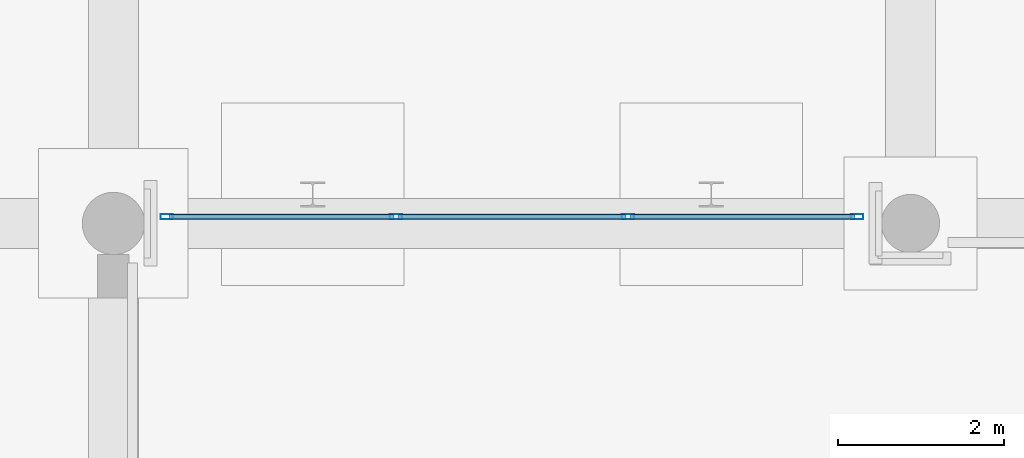
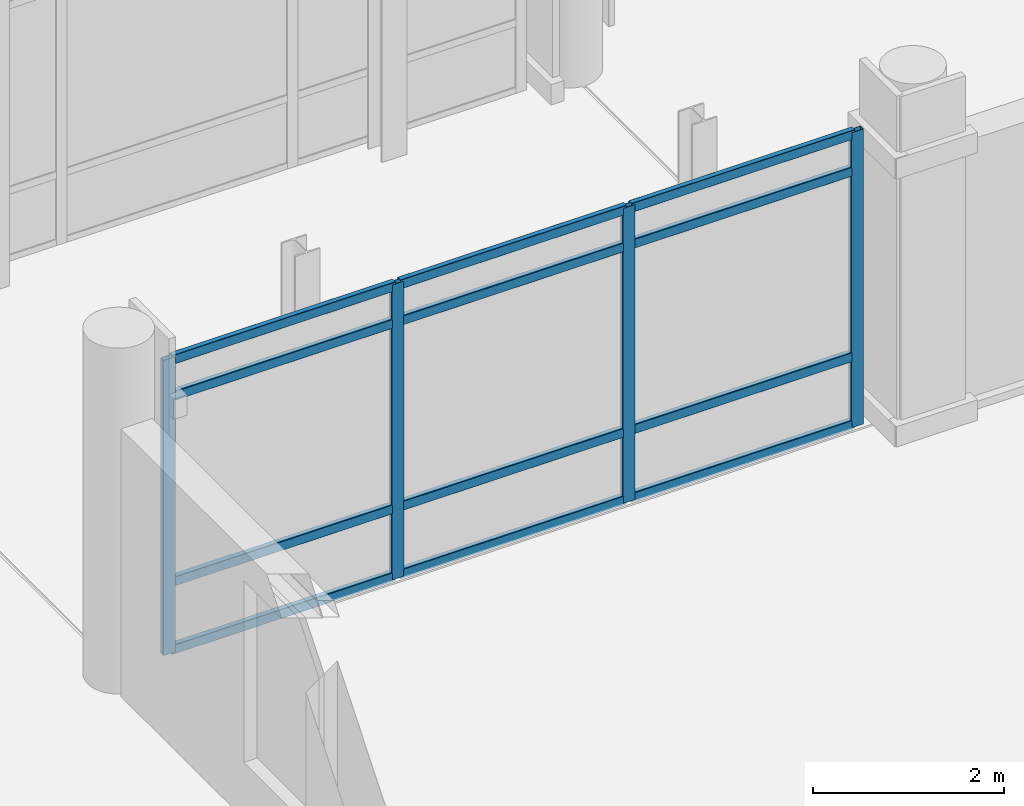
# One storey, part 106 of 196: 16 members, 1 element without a shape of its own.
"""IFC4 building model written with IfcOpenShell, lengths in metres."""

from ifc_helpers import new_model, si_unit, direction, frame, origin, origin_2d, place, context, subcontext, project, spatial, hollow_rectangle, extrude, material, layer, layer_set, material_profile, profile_set, type_object, element, aggregate, save


model = new_model("IFC4")

# Units and contexts
model_context = context("Model", 3, precision=1e-05, world=origin(), true_north=direction((0.0, 1.0)))
body_context = subcontext(model_context, "Body", "Model", "MODEL_VIEW")
ifc_project = project(units=[si_unit("LENGTHUNIT", "METRE"), si_unit("AREAUNIT", "SQUARE_METRE"), si_unit("VOLUMEUNIT", "CUBIC_METRE"), si_unit("PLANEANGLEUNIT", "RADIAN"), si_unit("MASSUNIT", "GRAM", prefix="KILO")], contexts=[model_context])

# Site, building, storey
site_placement = place(None, origin())
site = spatial("IfcSite", under=ifc_project, at=site_placement, CompositionType="ELEMENT")
building_placement = place(site_placement, origin())
building = spatial("IfcBuilding", under=site, at=building_placement, Name="Asteropetra Specialist Clinic", CompositionType="ELEMENT")
storey_placement = place(building_placement, origin())
storey = spatial("IfcBuildingStorey", under=building, at=storey_placement, Name="L00", CompositionType="ELEMENT", Elevation=0.0)

# Curtain wall, members
ifc_material_1 = material(Name="Aluminium and low-E glass", Category="aluminium")
ifc_layer = layer(ifc_material_1, 0.179931640625)
ifc_layer_set = layer_set([ifc_layer], Name="Aluminium and low-E glass")
curtain_wall_type = type_object("IfcCurtainWallType", Name="CW-SYS-01", PredefinedType="USERDEFINED", material=ifc_layer_set)
curtain_wall_placement = place(storey_placement, origin())
curtain_wall = element("IfcCurtainWall", 1, at=curtain_wall_placement, inside=storey, type_object=curtain_wall_type, Name="Curtain Wall CW-109", ObjectType="UNITISED CURTAIN WALL", PredefinedType="USERDEFINED")
ifc_material_2 = material(Name="Aluminium 6063-T6", Category="aluminium")
ifc_material_profile_1 = material_profile(ifc_material_2, hollow_rectangle(XDim=0.06494140625, YDim=0.14990234375, WallThickness=0.00390625, InnerFilletRadius=0.00390625, OuterFilletRadius=0.008056640625, at=origin_2d()), Name="MUL 150x65x4.0")
ifc_profile_set_1 = profile_set([ifc_material_profile_1], Name="Aluminium 6063-T6")
member_type_1 = type_object("IfcMemberType", Name="CWM-150x65", PredefinedType="MULLION", material=ifc_profile_set_1)
member_1_placement = place(storey_placement, frame((77.4423828125, 76.8798828125, 0.0), z_axis=(0.0, 0.0, 1.0), x_axis=(0.0, 1.0, 0.0)))
member_1 = element("IfcMember", 2, at=member_1_placement, type_object=member_type_1, Name="CW-109 mullion 1", PredefinedType="MULLION", context=body_context, shape_type="SweptSolid", body=[
    extrude(hollow_rectangle(XDim=0.06494140625, YDim=0.14990234375, WallThickness=0.00390625, InnerFilletRadius=0.00390625, OuterFilletRadius=0.008056640625, at=origin_2d()), origin(), (0.0, 0.0, 1.0), 3.77001953125),
])
member_2_placement = place(storey_placement, frame((80.203369140625, 76.8798828125, 0.0), z_axis=(0.0, 0.0, 1.0), x_axis=(0.0, 1.0, 0.0)))
member_2 = element("IfcMember", 3, at=member_2_placement, type_object=member_type_1, Name="CW-109 mullion 2", PredefinedType="MULLION", context=body_context, shape_type="SweptSolid", body=[
    extrude(hollow_rectangle(XDim=0.06494140625, YDim=0.14990234375, WallThickness=0.00390625, InnerFilletRadius=0.00390625, OuterFilletRadius=0.008056640625, at=origin_2d()), origin(), (0.0, 0.0, 1.0), 3.77001953125),
])
member_3_placement = place(storey_placement, frame((82.99658203125, 76.8798828125, 0.0), z_axis=(0.0, 0.0, 1.0), x_axis=(0.0, 1.0, 0.0)))
member_3 = element("IfcMember", 4, at=member_3_placement, type_object=member_type_1, Name="CW-109 mullion 3", PredefinedType="MULLION", context=body_context, shape_type="SweptSolid", body=[
    extrude(hollow_rectangle(XDim=0.06494140625, YDim=0.14990234375, WallThickness=0.00390625, InnerFilletRadius=0.00390625, OuterFilletRadius=0.008056640625, at=origin_2d()), origin(), (0.0, 0.0, 1.0), 3.77001953125),
])
member_4_placement = place(storey_placement, frame((85.757568359375, 76.8798828125, 0.0), z_axis=(0.0, 0.0, 1.0), x_axis=(0.0, 1.0, 0.0)))
member_4 = element("IfcMember", 5, at=member_4_placement, type_object=member_type_1, Name="CW-109 mullion 4", PredefinedType="MULLION", context=body_context, shape_type="SweptSolid", body=[
    extrude(hollow_rectangle(XDim=0.06494140625, YDim=0.14990234375, WallThickness=0.00390625, InnerFilletRadius=0.00390625, OuterFilletRadius=0.008056640625, at=origin_2d()), origin(), (0.0, 0.0, 1.0), 3.77001953125),
])
ifc_material_3 = material(Name="Aluminium 6063-T6", Category="aluminium")
ifc_material_profile_2 = material_profile(ifc_material_3, hollow_rectangle(XDim=0.06494140625, YDim=0.1201171875, WallThickness=0.00390625, InnerFilletRadius=0.00390625, OuterFilletRadius=0.008056640625, at=origin_2d()), Name="TRN 120x65x4.0")
ifc_profile_set_2 = profile_set([ifc_material_profile_2], Name="Aluminium 6063-T6")
member_type_2 = type_object("IfcMemberType", Name="CWT-120x65", PredefinedType="USERDEFINED", material=ifc_profile_set_2)
member_5_placement = place(storey_placement, frame((77.47509765625, 76.8798828125, 0.032470703125), z_axis=(1.0, 0.0, 0.0), x_axis=(0.0, 1.0, 0.0)))
member_5 = element("IfcMember", 6, at=member_5_placement, type_object=member_type_2, Name="CW-109 transom 1.1", ObjectType="TRANSOM", PredefinedType="USERDEFINED", context=body_context, shape_type="SweptSolid", body=[
    extrude(hollow_rectangle(XDim=0.06494140625, YDim=0.1201171875, WallThickness=0.00390625, InnerFilletRadius=0.00390625, OuterFilletRadius=0.008056640625, at=origin_2d()), origin(), (0.0, 0.0, 1.0), 2.69580078125),
])
member_6_placement = place(storey_placement, frame((77.47509765625, 76.8798828125, 0.89990234375), z_axis=(1.0, 0.0, 0.0), x_axis=(0.0, 1.0, 0.0)))
member_6 = element("IfcMember", 7, at=member_6_placement, type_object=member_type_2, Name="CW-109 transom 1.2", ObjectType="TRANSOM", PredefinedType="USERDEFINED", context=body_context, shape_type="SweptSolid", body=[
    extrude(hollow_rectangle(XDim=0.06494140625, YDim=0.1201171875, WallThickness=0.00390625, InnerFilletRadius=0.00390625, OuterFilletRadius=0.008056640625, at=origin_2d()), origin(), (0.0, 0.0, 1.0), 2.69580078125),
])
member_7_placement = place(storey_placement, frame((77.47509765625, 76.8798828125, 3.27001953125), z_axis=(1.0, 0.0, 0.0), x_axis=(0.0, 1.0, 0.0)))
member_7 = element("IfcMember", 8, at=member_7_placement, type_object=member_type_2, Name="CW-109 transom 1.3", ObjectType="TRANSOM", PredefinedType="USERDEFINED", context=body_context, shape_type="SweptSolid", body=[
    extrude(hollow_rectangle(XDim=0.06494140625, YDim=0.1201171875, WallThickness=0.00390625, InnerFilletRadius=0.00390625, OuterFilletRadius=0.008056640625, at=origin_2d()), origin(), (0.0, 0.0, 1.0), 2.69580078125),
])
member_8_placement = place(storey_placement, frame((77.47509765625, 76.8798828125, 3.737548828125), z_axis=(1.0, 0.0, 0.0), x_axis=(0.0, 1.0, 0.0)))
member_8 = element("IfcMember", 9, at=member_8_placement, type_object=member_type_2, Name="CW-109 transom 1.4", ObjectType="TRANSOM", PredefinedType="USERDEFINED", context=body_context, shape_type="SweptSolid", body=[
    extrude(hollow_rectangle(XDim=0.06494140625, YDim=0.1201171875, WallThickness=0.00390625, InnerFilletRadius=0.00390625, OuterFilletRadius=0.008056640625, at=origin_2d()), origin(), (0.0, 0.0, 1.0), 2.69580078125),
])
member_9_placement = place(storey_placement, frame((80.23583984375, 76.8798828125, 0.032470703125), z_axis=(1.0, 0.0, 0.0), x_axis=(0.0, 1.0, 0.0)))
member_9 = element("IfcMember", 10, at=member_9_placement, type_object=member_type_2, Name="CW-109 transom 2.1", ObjectType="TRANSOM", PredefinedType="USERDEFINED", context=body_context, shape_type="SweptSolid", body=[
    extrude(hollow_rectangle(XDim=0.06494140625, YDim=0.1201171875, WallThickness=0.00390625, InnerFilletRadius=0.00390625, OuterFilletRadius=0.008056640625, at=origin_2d()), origin(), (0.0, 0.0, 1.0), 2.728271484375),
])
member_10_placement = place(storey_placement, frame((80.23583984375, 76.8798828125, 0.89990234375), z_axis=(1.0, 0.0, 0.0), x_axis=(0.0, 1.0, 0.0)))
member_10 = element("IfcMember", 11, at=member_10_placement, type_object=member_type_2, Name="CW-109 transom 2.2", ObjectType="TRANSOM", PredefinedType="USERDEFINED", context=body_context, shape_type="SweptSolid", body=[
    extrude(hollow_rectangle(XDim=0.06494140625, YDim=0.1201171875, WallThickness=0.00390625, InnerFilletRadius=0.00390625, OuterFilletRadius=0.008056640625, at=origin_2d()), origin(), (0.0, 0.0, 1.0), 2.728271484375),
])
member_11_placement = place(storey_placement, frame((80.23583984375, 76.8798828125, 3.27001953125), z_axis=(1.0, 0.0, 0.0), x_axis=(0.0, 1.0, 0.0)))
member_11 = element("IfcMember", 12, at=member_11_placement, type_object=member_type_2, Name="CW-109 transom 2.3", ObjectType="TRANSOM", PredefinedType="USERDEFINED", context=body_context, shape_type="SweptSolid", body=[
    extrude(hollow_rectangle(XDim=0.06494140625, YDim=0.1201171875, WallThickness=0.00390625, InnerFilletRadius=0.00390625, OuterFilletRadius=0.008056640625, at=origin_2d()), origin(), (0.0, 0.0, 1.0), 2.728271484375),
])
member_12_placement = place(storey_placement, frame((80.23583984375, 76.8798828125, 3.737548828125), z_axis=(1.0, 0.0, 0.0), x_axis=(0.0, 1.0, 0.0)))
member_12 = element("IfcMember", 13, at=member_12_placement, type_object=member_type_2, Name="CW-109 transom 2.4", ObjectType="TRANSOM", PredefinedType="USERDEFINED", context=body_context, shape_type="SweptSolid", body=[
    extrude(hollow_rectangle(XDim=0.06494140625, YDim=0.1201171875, WallThickness=0.00390625, InnerFilletRadius=0.00390625, OuterFilletRadius=0.008056640625, at=origin_2d()), origin(), (0.0, 0.0, 1.0), 2.728271484375),
])
member_13_placement = place(storey_placement, frame((83.029052734375, 76.8798828125, 0.032470703125), z_axis=(1.0, 0.0, 0.0), x_axis=(0.0, 1.0, 0.0)))
member_13 = element("IfcMember", 14, at=member_13_placement, type_object=member_type_2, Name="CW-109 transom 3.1", ObjectType="TRANSOM", PredefinedType="USERDEFINED", context=body_context, shape_type="SweptSolid", body=[
    extrude(hollow_rectangle(XDim=0.06494140625, YDim=0.1201171875, WallThickness=0.00390625, InnerFilletRadius=0.00390625, OuterFilletRadius=0.008056640625, at=origin_2d()), origin(), (0.0, 0.0, 1.0), 2.696044921875),
])
member_14_placement = place(storey_placement, frame((83.029052734375, 76.8798828125, 0.89990234375), z_axis=(1.0, 0.0, 0.0), x_axis=(0.0, 1.0, 0.0)))
member_14 = element("IfcMember", 15, at=member_14_placement, type_object=member_type_2, Name="CW-109 transom 3.2", ObjectType="TRANSOM", PredefinedType="USERDEFINED", context=body_context, shape_type="SweptSolid", body=[
    extrude(hollow_rectangle(XDim=0.06494140625, YDim=0.1201171875, WallThickness=0.00390625, InnerFilletRadius=0.00390625, OuterFilletRadius=0.008056640625, at=origin_2d()), origin(), (0.0, 0.0, 1.0), 2.696044921875),
])
member_15_placement = place(storey_placement, frame((83.029052734375, 76.8798828125, 3.27001953125), z_axis=(1.0, 0.0, 0.0), x_axis=(0.0, 1.0, 0.0)))
member_15 = element("IfcMember", 16, at=member_15_placement, type_object=member_type_2, Name="CW-109 transom 3.3", ObjectType="TRANSOM", PredefinedType="USERDEFINED", context=body_context, shape_type="SweptSolid", body=[
    extrude(hollow_rectangle(XDim=0.06494140625, YDim=0.1201171875, WallThickness=0.00390625, InnerFilletRadius=0.00390625, OuterFilletRadius=0.008056640625, at=origin_2d()), origin(), (0.0, 0.0, 1.0), 2.696044921875),
])
member_16_placement = place(storey_placement, frame((83.029052734375, 76.8798828125, 3.737548828125), z_axis=(1.0, 0.0, 0.0), x_axis=(0.0, 1.0, 0.0)))
member_16 = element("IfcMember", 17, at=member_16_placement, type_object=member_type_2, Name="CW-109 transom 3.4", ObjectType="TRANSOM", PredefinedType="USERDEFINED", context=body_context, shape_type="SweptSolid", body=[
    extrude(hollow_rectangle(XDim=0.06494140625, YDim=0.1201171875, WallThickness=0.00390625, InnerFilletRadius=0.00390625, OuterFilletRadius=0.008056640625, at=origin_2d()), origin(), (0.0, 0.0, 1.0), 2.696044921875),
])
aggregate(curtain_wall, [member_1, member_2, member_3, member_4, member_5, member_6, member_7, member_8, member_9, member_10, member_11, member_12, member_13, member_14, member_15, member_16])

save(model, "model.ifc")
